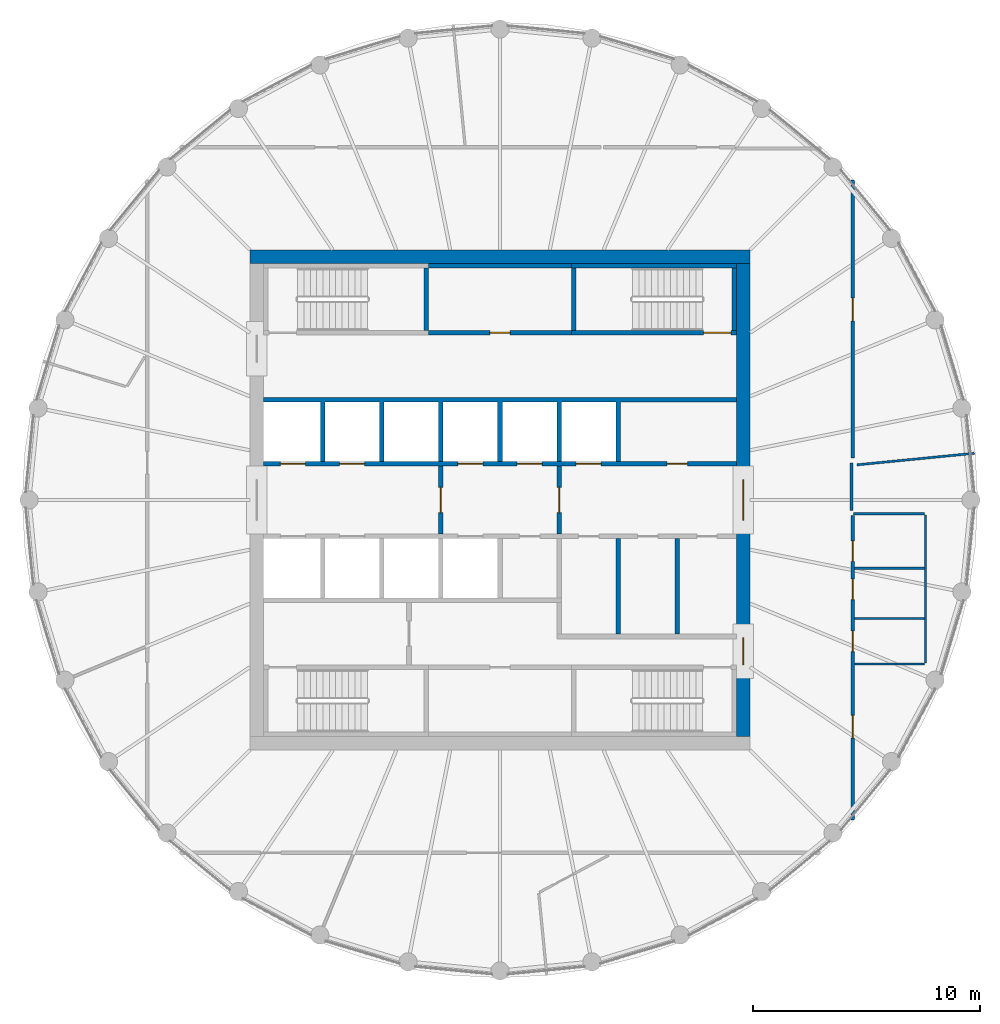
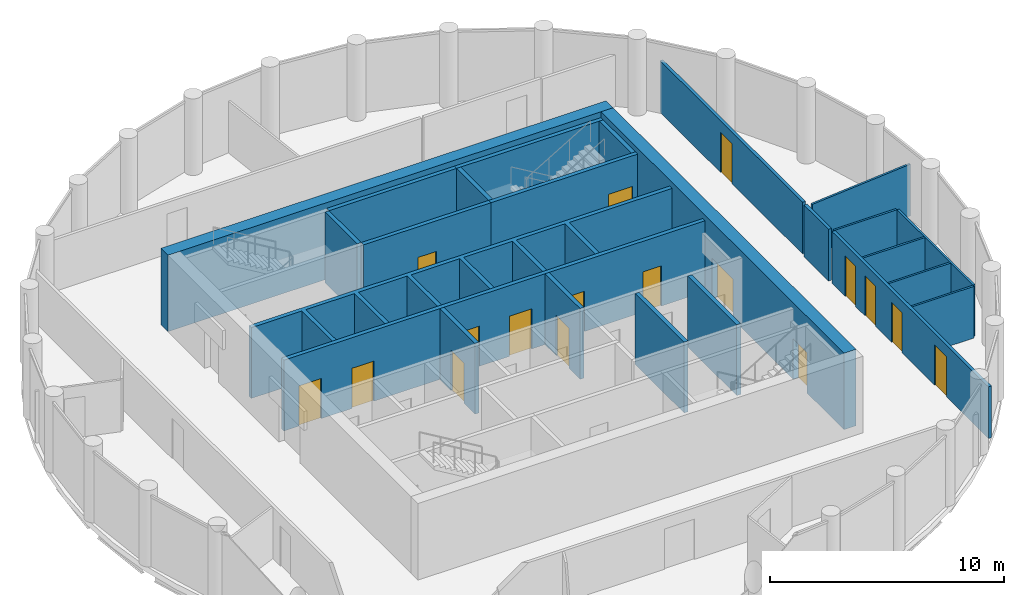
# One storey, part 5 of 7: 24 walls, 17 doors, 17 openings.
"""IFC4 building model written with IfcOpenShell, lengths in metres."""

from ifc_helpers import new_model, si_unit, direction, frame, frame_2d, origin, place, context, subcontext, project, spatial, polyline, rectangle, outline, extrude, material, layer, layer_set, type_object, element, fill, save


model = new_model("IFC4")

# Units and contexts
model_context = context("Model", 3, precision=1e-05, world=origin(), true_north=direction((0.0, 1.0)))
body_context = subcontext(model_context, "Body", "Model", "MODEL_VIEW")
ifc_project = project(units=[si_unit("LENGTHUNIT", "METRE"), si_unit("AREAUNIT", "SQUARE_METRE"), si_unit("VOLUMEUNIT", "CUBIC_METRE"), si_unit("PLANEANGLEUNIT", "RADIAN"), si_unit("MASSUNIT", "GRAM", prefix="KILO")], contexts=[model_context])

# Site, building, storey
site_placement = place(None, origin())
site = spatial("IfcSite", under=ifc_project, at=site_placement, CompositionType="ELEMENT")
building_placement = place(site_placement, origin())
building = spatial("IfcBuilding", under=site, at=building_placement, Name="Corvane Civic Tower", CompositionType="ELEMENT")
storey_placement = place(building_placement, frame((0.0, 0.0, 360.5)))
storey = spatial("IfcBuildingStorey", under=building, at=storey_placement, Name="L86", CompositionType="ELEMENT", Elevation=360.5)

# Wall
ifc_material_1 = material(Name="Concrete C40/50", Category="concrete")
ifc_layer_1 = layer(ifc_material_1, 0.60009765625)
ifc_layer_set_1 = layer_set([ifc_layer_1], Name="Concrete C40/50")
wall_type_1 = type_object("IfcWallType", Name="CORE WALL 600 C40/50", PredefinedType="SHEAR", material=ifc_layer_set_1)
wall_1_placement = place(storey_placement, frame((-11.0, 10.699951171875, 0.0), z_axis=(0.0, 0.0, 1.0), x_axis=(1.0, 0.0, 0.0)))
element("IfcWall", 1, at=wall_1_placement, inside=storey, type_object=wall_type_1, Name="W-L86-core-N", PredefinedType="SHEAR", context=body_context, shape_type="SweptSolid", body=[
    extrude(rectangle(XDim=22.0, YDim=0.60009765625, at=frame_2d((11.0, 0.0))), origin(), (0.0, 0.0, 1.0), 4.0),
])

# Wall, openings, doors
wall_2_placement = place(storey_placement, frame((10.699951171875, -10.39990234375, 0.0), z_axis=(0.0, 0.0, 1.0), x_axis=(0.0, 1.0, 0.0)))
wall_2 = element("IfcWall", 2, at=wall_2_placement, inside=storey, type_object=wall_type_1, Name="W-L86-core-E", PredefinedType="SHEAR", context=body_context, shape_type="SweptSolid", body=[
    extrude(rectangle(XDim=20.7998046875, YDim=0.60009765625, at=frame_2d((10.39990234375, 0.0))), origin(), (0.0, 0.0, 1.0), 4.0),
])
opening_1_placement = place(wall_2_placement, frame((9.5, 0.0, 0.0)))
opening_1 = element("IfcOpeningElement", 3, at=opening_1_placement, cuts=wall_2, Name="Opening L86.C16", PredefinedType="OPENING", context=body_context, shape_type="SweptSolid", body=[
    extrude(rectangle(XDim=1.800048828125, YDim=2.10009765625, at=frame_2d((0.89990234375, 1.050048828125))), frame((0.0, 0.31005859375, 0.0), z_axis=(0.0, -1.0, 0.0), x_axis=(1.0, 0.0, 0.0)), (0.0, 0.0, 1.0), 0.6201171875),
])
opening_2_placement = place(wall_2_placement, frame((3.14990234375, 0.0, 0.0)))
opening_2 = element("IfcOpeningElement", 4, at=opening_2_placement, cuts=wall_2, Name="Opening L86.C18", PredefinedType="OPENING", context=body_context, shape_type="SweptSolid", body=[
    extrude(rectangle(XDim=1.199951171875, YDim=2.10009765625, at=frame_2d((0.60009765625, 1.050048828125))), frame((0.0, 0.31005859375, 0.0), z_axis=(0.0, -1.0, 0.0), x_axis=(1.0, 0.0, 0.0)), (0.0, 0.0, 1.0), 0.6201171875),
])
ifc_material_2 = material(Name="Steel fire door leaf", Category="steel")
door_type_1 = type_object("IfcDoorType", Name="CR-DOOR-CORE-1800", OperationType="DOUBLE_DOOR_SINGLE_SWING", PredefinedType="DOOR", material=ifc_material_2)
door_1_placement = place(opening_1_placement, origin())
door_1 = element("IfcDoor", 5, at=door_1_placement, inside=storey, type_object=door_type_1, Name="L86 door", OperationType="DOUBLE_DOOR_SINGLE_SWING", OverallHeight=2.10009765625, OverallWidth=1.800048828125, PredefinedType="DOOR", context=body_context, shape_type="SweptSolid", body=[
    extrude(rectangle(XDim=1.800048828125, YDim=2.10009765625, at=frame_2d((0.89990234375, 1.050048828125))), frame((0.0, 0.02490234375, 0.0), z_axis=(0.0, -1.0, 0.0), x_axis=(1.0, 0.0, 0.0)), (0.0, 0.0, 1.0), 0.050048828125),
])
fill(opening_1, door_1)
door_2_placement = place(opening_2_placement, origin())
door_2 = element("IfcDoor", 6, at=door_2_placement, inside=storey, type_object=door_type_1, Name="L86 door", OperationType="DOUBLE_DOOR_SINGLE_SWING", OverallHeight=2.10009765625, OverallWidth=1.199951171875, PredefinedType="DOOR", context=body_context, shape_type="SweptSolid", body=[
    extrude(rectangle(XDim=1.199951171875, YDim=2.10009765625, at=frame_2d((0.60009765625, 1.050048828125))), frame((0.0, 0.02490234375, 0.0), z_axis=(0.0, -1.0, 0.0), x_axis=(1.0, 0.0, 0.0)), (0.0, 0.0, 1.0), 0.050048828125),
])
fill(opening_2, door_2)

ifc_material_3 = material(Name="Concrete C30/37", Category="concrete")
ifc_layer_2 = layer(ifc_material_3, 0.199951171875)
ifc_layer_set_2 = layer_set([ifc_layer_2], Name="Concrete C30/37")
wall_type_2 = type_object("IfcWallType", Name="CR-WALL-200", PredefinedType="PARTITIONING", material=ifc_layer_set_2)
wall_3_placement = place(storey_placement, frame((-10.39990234375, 1.60009765625, 0.0), z_axis=(0.0, 0.0, 1.0), x_axis=(1.0, 0.0, 0.0)))
wall_3 = element("IfcWall", 7, at=wall_3_placement, inside=storey, type_object=wall_type_2, Name="L86 lift shaft wall", PredefinedType="PARTITIONING", context=body_context, shape_type="SweptSolid", body=[
    extrude(rectangle(XDim=20.7998046875, YDim=0.199951171875, at=frame_2d((10.39990234375, 0.0))), origin(), (0.0, 0.0, 1.0), 3.699951171875),
])
opening_3_placement = place(wall_3_placement, frame((0.75, 0.0, 0.0)))
opening_3 = element("IfcOpeningElement", 8, at=opening_3_placement, cuts=wall_3, Name="Opening LD", PredefinedType="OPENING", context=body_context, shape_type="SweptSolid", body=[
    extrude(rectangle(XDim=1.10009765625, YDim=2.10009765625, at=frame_2d((0.550048828125, 1.050048828125))), frame((0.0, 0.10986328125, 0.0), z_axis=(0.0, -1.0, 0.0), x_axis=(1.0, 0.0, 0.0)), (0.0, 0.0, 1.0), 0.219970703125),
])
opening_4_placement = place(wall_3_placement, frame((3.35009765625, 0.0, 0.0)))
opening_4 = element("IfcOpeningElement", 9, at=opening_4_placement, cuts=wall_3, Name="Opening LD", PredefinedType="OPENING", context=body_context, shape_type="SweptSolid", body=[
    extrude(rectangle(XDim=1.10009765625, YDim=2.10009765625, at=frame_2d((0.550048828125, 1.050048828125))), frame((0.0, 0.10986328125, 0.0), z_axis=(0.0, -1.0, 0.0), x_axis=(1.0, 0.0, 0.0)), (0.0, 0.0, 1.0), 0.219970703125),
])
opening_5_placement = place(wall_3_placement, frame((8.550048828125, 0.0, 0.0)))
opening_5 = element("IfcOpeningElement", 10, at=opening_5_placement, cuts=wall_3, Name="Opening LD", PredefinedType="OPENING", context=body_context, shape_type="SweptSolid", body=[
    extrude(rectangle(XDim=1.10009765625, YDim=2.10009765625, at=frame_2d((0.550048828125, 1.050048828125))), frame((0.0, 0.10986328125, 0.0), z_axis=(0.0, -1.0, 0.0), x_axis=(1.0, 0.0, 0.0)), (0.0, 0.0, 1.0), 0.219970703125),
])
opening_6_placement = place(wall_3_placement, frame((11.14990234375, 0.0, 0.0)))
opening_6 = element("IfcOpeningElement", 11, at=opening_6_placement, cuts=wall_3, Name="Opening LD", PredefinedType="OPENING", context=body_context, shape_type="SweptSolid", body=[
    extrude(rectangle(XDim=1.10009765625, YDim=2.10009765625, at=frame_2d((0.550048828125, 1.050048828125))), frame((0.0, 0.10986328125, 0.0), z_axis=(0.0, -1.0, 0.0), x_axis=(1.0, 0.0, 0.0)), (0.0, 0.0, 1.0), 0.219970703125),
])
opening_7_placement = place(wall_3_placement, frame((13.75, 0.0, 0.0)))
opening_7 = element("IfcOpeningElement", 12, at=opening_7_placement, cuts=wall_3, Name="Opening LD", PredefinedType="OPENING", context=body_context, shape_type="SweptSolid", body=[
    extrude(rectangle(XDim=1.10009765625, YDim=2.10009765625, at=frame_2d((0.550048828125, 1.050048828125))), frame((0.0, 0.10986328125, 0.0), z_axis=(0.0, -1.0, 0.0), x_axis=(1.0, 0.0, 0.0)), (0.0, 0.0, 1.0), 0.219970703125),
])
opening_8_placement = place(wall_3_placement, frame((17.75, 0.0, 0.0)))
opening_8 = element("IfcOpeningElement", 13, at=opening_8_placement, cuts=wall_3, Name="Opening L86.C01", PredefinedType="OPENING", context=body_context, shape_type="SweptSolid", body=[
    extrude(rectangle(XDim=0.89990234375, YDim=2.10009765625, at=frame_2d((0.449951171875, 1.050048828125))), frame((0.0, 0.10986328125, 0.0), z_axis=(0.0, -1.0, 0.0), x_axis=(1.0, 0.0, 0.0)), (0.0, 0.0, 1.0), 0.219970703125),
])
ifc_material_4 = material(Name="Steel fire door leaf", Category="steel")
door_type_2 = type_object("IfcDoorType", Name="CR-DOOR-900", OperationType="SINGLE_SWING_LEFT", PredefinedType="DOOR", material=ifc_material_4)
door_3_placement = place(opening_8_placement, origin())
door_3 = element("IfcDoor", 14, at=door_3_placement, inside=storey, type_object=door_type_2, Name="L86 door", OperationType="SINGLE_SWING_LEFT", OverallHeight=2.10009765625, OverallWidth=0.89990234375, PredefinedType="DOOR", context=body_context, shape_type="SweptSolid", body=[
    extrude(rectangle(XDim=0.89990234375, YDim=2.10009765625, at=frame_2d((0.449951171875, 1.050048828125))), frame((0.0, 0.02490234375, 0.0), z_axis=(0.0, -1.0, 0.0), x_axis=(1.0, 0.0, 0.0)), (0.0, 0.0, 1.0), 0.050048828125),
])
fill(opening_8, door_3)
ifc_material_5 = material(Name="Stainless steel 316 door leaves", Category="steel")
door_type_3 = type_object("IfcDoorType", Name="LD", OperationType="DOUBLE_DOOR_SLIDING", PredefinedType="DOOR", material=ifc_material_5)
door_4_placement = place(opening_3_placement, origin())
door_4 = element("IfcDoor", 15, at=door_4_placement, inside=storey, type_object=door_type_3, Name="L86 landing door", OperationType="DOUBLE_DOOR_SLIDING", OverallHeight=2.10009765625, OverallWidth=1.10009765625, PredefinedType="DOOR", context=body_context, shape_type="SweptSolid", body=[
    extrude(rectangle(XDim=1.10009765625, YDim=2.10009765625, at=frame_2d((0.550048828125, 1.050048828125))), frame((0.0, 0.02490234375, 0.0), z_axis=(0.0, -1.0, 0.0), x_axis=(1.0, 0.0, 0.0)), (0.0, 0.0, 1.0), 0.050048828125),
])
fill(opening_3, door_4)
door_5_placement = place(opening_4_placement, origin())
door_5 = element("IfcDoor", 16, at=door_5_placement, inside=storey, type_object=door_type_3, Name="L86 landing door", OperationType="DOUBLE_DOOR_SLIDING", OverallHeight=2.10009765625, OverallWidth=1.10009765625, PredefinedType="DOOR", context=body_context, shape_type="SweptSolid", body=[
    extrude(rectangle(XDim=1.10009765625, YDim=2.10009765625, at=frame_2d((0.550048828125, 1.050048828125))), frame((0.0, 0.02490234375, 0.0), z_axis=(0.0, -1.0, 0.0), x_axis=(1.0, 0.0, 0.0)), (0.0, 0.0, 1.0), 0.050048828125),
])
fill(opening_4, door_5)
door_6_placement = place(opening_5_placement, origin())
door_6 = element("IfcDoor", 17, at=door_6_placement, inside=storey, type_object=door_type_3, Name="L86 landing door", OperationType="DOUBLE_DOOR_SLIDING", OverallHeight=2.10009765625, OverallWidth=1.10009765625, PredefinedType="DOOR", context=body_context, shape_type="SweptSolid", body=[
    extrude(rectangle(XDim=1.10009765625, YDim=2.10009765625, at=frame_2d((0.550048828125, 1.050048828125))), frame((0.0, 0.02490234375, 0.0), z_axis=(0.0, -1.0, 0.0), x_axis=(1.0, 0.0, 0.0)), (0.0, 0.0, 1.0), 0.050048828125),
])
fill(opening_5, door_6)
door_7_placement = place(opening_6_placement, origin())
door_7 = element("IfcDoor", 18, at=door_7_placement, inside=storey, type_object=door_type_3, Name="L86 landing door", OperationType="DOUBLE_DOOR_SLIDING", OverallHeight=2.10009765625, OverallWidth=1.10009765625, PredefinedType="DOOR", context=body_context, shape_type="SweptSolid", body=[
    extrude(rectangle(XDim=1.10009765625, YDim=2.10009765625, at=frame_2d((0.550048828125, 1.050048828125))), frame((0.0, 0.02490234375, 0.0), z_axis=(0.0, -1.0, 0.0), x_axis=(1.0, 0.0, 0.0)), (0.0, 0.0, 1.0), 0.050048828125),
])
fill(opening_6, door_7)
door_8_placement = place(opening_7_placement, origin())
door_8 = element("IfcDoor", 19, at=door_8_placement, inside=storey, type_object=door_type_3, Name="L86 landing door", OperationType="DOUBLE_DOOR_SLIDING", OverallHeight=2.10009765625, OverallWidth=1.10009765625, PredefinedType="DOOR", context=body_context, shape_type="SweptSolid", body=[
    extrude(rectangle(XDim=1.10009765625, YDim=2.10009765625, at=frame_2d((0.550048828125, 1.050048828125))), frame((0.0, 0.02490234375, 0.0), z_axis=(0.0, -1.0, 0.0), x_axis=(1.0, 0.0, 0.0)), (0.0, 0.0, 1.0), 0.050048828125),
])
fill(opening_7, door_8)

# Wall, opening, door
wall_4_placement = place(storey_placement, frame((-3.14990234375, 7.35009765625, 0.0), z_axis=(0.0, 0.0, 1.0), x_axis=(1.0, 0.0, 0.0)))
wall_4 = element("IfcWall", 20, at=wall_4_placement, inside=storey, type_object=wall_type_2, Name="L86 core partition wall", PredefinedType="PARTITIONING", context=body_context, shape_type="SweptSolid", body=[
    extrude(rectangle(XDim=6.2998046875, YDim=0.199951171875, at=frame_2d((3.14990234375, 0.0))), origin(), (0.0, 0.0, 1.0), 3.699951171875),
])
opening_9_placement = place(wall_4_placement, frame((2.699951171875, 0.0, 0.0)))
opening_9 = element("IfcOpeningElement", 21, at=opening_9_placement, cuts=wall_4, Name="Opening L86.C06", PredefinedType="OPENING", context=body_context, shape_type="SweptSolid", body=[
    extrude(rectangle(XDim=0.89990234375, YDim=2.10009765625, at=frame_2d((0.449951171875, 1.050048828125))), frame((0.0, 0.10986328125, 0.0), z_axis=(0.0, -1.0, 0.0), x_axis=(1.0, 0.0, 0.0)), (0.0, 0.0, 1.0), 0.219970703125),
])
door_9_placement = place(opening_9_placement, origin())
door_9 = element("IfcDoor", 22, at=door_9_placement, inside=storey, type_object=door_type_2, Name="L86 door", OperationType="SINGLE_SWING_LEFT", OverallHeight=2.10009765625, OverallWidth=0.89990234375, PredefinedType="DOOR", context=body_context, shape_type="SweptSolid", body=[
    extrude(rectangle(XDim=0.89990234375, YDim=2.10009765625, at=frame_2d((0.449951171875, 1.050048828125))), frame((0.0, 0.02490234375, 0.0), z_axis=(0.0, -1.0, 0.0), x_axis=(1.0, 0.0, 0.0)), (0.0, 0.0, 1.0), 0.050048828125),
])
fill(opening_9, door_9)

wall_5_placement = place(storey_placement, frame((-2.60009765625, -1.5, 0.0), z_axis=(0.0, 0.0, 1.0), x_axis=(0.0, 1.0, 0.0)))
wall_5 = element("IfcWall", 23, at=wall_5_placement, inside=storey, type_object=wall_type_2, Name="L86 firefighting lobby wall", PredefinedType="PARTITIONING", context=body_context, shape_type="SweptSolid", body=[
    extrude(rectangle(XDim=3.0, YDim=0.199951171875, at=frame_2d((1.5, 0.0))), origin(), (0.0, 0.0, 1.0), 3.699951171875),
])
opening_10_placement = place(wall_5_placement, frame((0.949951171875, 0.0, 0.0)))
opening_10 = element("IfcOpeningElement", 24, at=opening_10_placement, cuts=wall_5, Name="Opening L86.C12", PredefinedType="OPENING", context=body_context, shape_type="SweptSolid", body=[
    extrude(rectangle(XDim=1.10009765625, YDim=2.10009765625, at=frame_2d((0.550048828125, 1.050048828125))), frame((0.0, 0.10986328125, 0.0), z_axis=(0.0, -1.0, 0.0), x_axis=(1.0, 0.0, 0.0)), (0.0, 0.0, 1.0), 0.219970703125),
])
ifc_material_6 = material(Name="Steel fire door leaf", Category="steel")
door_type_4 = type_object("IfcDoorType", Name="CR-DOOR-FFL-1100", OperationType="SINGLE_SWING_LEFT", PredefinedType="DOOR", material=ifc_material_6)
door_10_placement = place(opening_10_placement, origin())
door_10 = element("IfcDoor", 25, at=door_10_placement, inside=storey, type_object=door_type_4, Name="L86 lobby door", OperationType="SINGLE_SWING_LEFT", OverallHeight=2.10009765625, OverallWidth=1.10009765625, PredefinedType="DOOR", context=body_context, shape_type="SweptSolid", body=[
    extrude(rectangle(XDim=1.10009765625, YDim=2.10009765625, at=frame_2d((0.550048828125, 1.050048828125))), frame((0.0, 0.02490234375, 0.0), z_axis=(0.0, -1.0, 0.0), x_axis=(1.0, 0.0, 0.0)), (0.0, 0.0, 1.0), 0.050048828125),
])
fill(opening_10, door_10)

wall_6_placement = place(storey_placement, frame((2.60009765625, -1.5, 0.0), z_axis=(0.0, 0.0, 1.0), x_axis=(0.0, 1.0, 0.0)))
wall_6 = element("IfcWall", 26, at=wall_6_placement, inside=storey, type_object=wall_type_2, Name="L86 firefighting lobby wall", PredefinedType="PARTITIONING", context=body_context, shape_type="SweptSolid", body=[
    extrude(rectangle(XDim=3.0, YDim=0.199951171875, at=frame_2d((1.5, 0.0))), origin(), (0.0, 0.0, 1.0), 3.699951171875),
])
opening_11_placement = place(wall_6_placement, frame((0.949951171875, 0.0, 0.0)))
opening_11 = element("IfcOpeningElement", 27, at=opening_11_placement, cuts=wall_6, Name="Opening L86.C13", PredefinedType="OPENING", context=body_context, shape_type="SweptSolid", body=[
    extrude(rectangle(XDim=1.10009765625, YDim=2.10009765625, at=frame_2d((0.550048828125, 1.050048828125))), frame((0.0, 0.10986328125, 0.0), z_axis=(0.0, -1.0, 0.0), x_axis=(1.0, 0.0, 0.0)), (0.0, 0.0, 1.0), 0.219970703125),
])
door_11_placement = place(opening_11_placement, origin())
door_11 = element("IfcDoor", 28, at=door_11_placement, inside=storey, type_object=door_type_4, Name="L86 lobby door", OperationType="SINGLE_SWING_LEFT", OverallHeight=2.10009765625, OverallWidth=1.10009765625, PredefinedType="DOOR", context=body_context, shape_type="SweptSolid", body=[
    extrude(rectangle(XDim=1.10009765625, YDim=2.10009765625, at=frame_2d((0.550048828125, 1.050048828125))), frame((0.0, 0.02490234375, 0.0), z_axis=(0.0, -1.0, 0.0), x_axis=(1.0, 0.0, 0.0)), (0.0, 0.0, 1.0), 0.050048828125),
])
fill(opening_11, door_11)

# Walls
wall_7_placement = place(storey_placement, origin())
element("IfcWall", 29, at=wall_7_placement, inside=storey, type_object=wall_type_2, Name="L86 core partition wall", PredefinedType="PARTITIONING", context=body_context, shape_type="SweptSolid", body=[
    extrude(outline(polyline([(5.300048828125, -1.699951171875), (5.300048828125, -5.89990234375), (5.10009765625, -5.89990234375), (5.10009765625, -1.699951171875), (5.300048828125, -1.699951171875)])), origin(), (0.0, 0.0, 1.0), 3.699951171875),
])
wall_8_placement = place(storey_placement, origin())
element("IfcWall", 30, at=wall_8_placement, inside=storey, type_object=wall_type_2, Name="L86 core partition wall", PredefinedType="PARTITIONING", context=body_context, shape_type="SweptSolid", body=[
    extrude(outline(polyline([(7.89990234375, -1.699951171875), (7.89990234375, -5.89990234375), (7.699951171875, -5.89990234375), (7.699951171875, -1.699951171875), (7.89990234375, -1.699951171875)])), origin(), (0.0, 0.0, 1.0), 3.699951171875),
])
wall_9_placement = place(storey_placement, origin())
element("IfcWall", 31, at=wall_9_placement, inside=storey, type_object=wall_type_2, Name="L86 core partition wall", PredefinedType="PARTITIONING", context=body_context, shape_type="SweptSolid", body=[
    extrude(outline(polyline([(-7.699951171875, 1.699951171875), (-7.89990234375, 1.699951171875), (-7.89990234375, 4.300048828125), (-10.39990234375, 4.300048828125), (-10.39990234375, 4.5), (10.39990234375, 4.5), (10.39990234375, 4.300048828125), (5.300048828125, 4.300048828125), (5.300048828125, 1.699951171875), (5.10009765625, 1.699951171875), (5.10009765625, 4.300048828125), (2.699951171875, 4.300048828125), (2.699951171875, 1.699951171875), (2.5, 1.699951171875), (2.5, 4.300048828125), (0.10009765625, 4.300048828125), (0.10009765625, 1.699951171875), (-0.10009765625, 1.699951171875), (-0.10009765625, 4.300048828125), (-2.5, 4.300048828125), (-2.5, 1.699951171875), (-2.699951171875, 1.699951171875), (-2.699951171875, 4.300048828125), (-5.10009765625, 4.300048828125), (-5.10009765625, 1.699951171875), (-5.300048828125, 1.699951171875), (-5.300048828125, 4.300048828125), (-7.699951171875, 4.300048828125), (-7.699951171875, 1.699951171875)])), origin(), (0.0, 0.0, 1.0), 3.699951171875),
])
wall_10_placement = place(storey_placement, origin())
element("IfcWall", 32, at=wall_10_placement, inside=storey, type_object=wall_type_2, Name="L86 core partition wall", PredefinedType="PARTITIONING", context=body_context, shape_type="SweptSolid", body=[
    extrude(outline(polyline([(3.14990234375, 10.199951171875), (-3.14990234375, 10.199951171875), (-3.14990234375, 10.39990234375), (3.14990234375, 10.39990234375), (3.14990234375, 10.199951171875)])), origin(), (0.0, 0.0, 1.0), 3.699951171875),
])
ifc_material_7 = material(Name="Plasterboard")
ifc_layer_3 = layer(ifc_material_7, 0.10009765625)
ifc_layer_set_3 = layer_set([ifc_layer_3], Name="Plasterboard")
wall_type_3 = type_object("IfcWallType", Name="Partition 100 plasterboard on studs", PredefinedType="PARTITIONING", material=ifc_layer_set_3)
wall_11_placement = place(storey_placement, frame((15.574951171875, -7.20458984375, 0.0), z_axis=(0.0, 0.0, 1.0), x_axis=(1.0, 0.0, 0.0)))
element("IfcWall", 33, at=wall_11_placement, inside=storey, type_object=wall_type_3, Name="Partition L86.008", PredefinedType="PARTITIONING", context=body_context, shape_type="SweptSolid", body=[
    extrude(rectangle(XDim=3.074951171875, YDim=0.10009765625, at=frame_2d((1.53759765625, 0.0))), origin(), (0.0, 0.0, 1.0), 2.699951171875),
])
wall_12_placement = place(storey_placement, frame((18.699951171875, -7.154541015625, 0.0), z_axis=(0.0, 0.0, 1.0), x_axis=(0.0, 1.0, 0.0)))
element("IfcWall", 34, at=wall_12_placement, inside=storey, type_object=wall_type_3, Name="Partition L86.009", PredefinedType="PARTITIONING", context=body_context, shape_type="SweptSolid", body=[
    extrude(rectangle(XDim=6.5, YDim=0.10009765625, at=frame_2d((3.25, 0.0))), origin(), (0.0, 0.0, 1.0), 2.699951171875),
])
for number, where, z_axis, x_axis, name in (
    (35, (15.574951171875, -5.20458984375, 0.0), (0.0, 0.0, 1.0), (1.0, 0.0, 0.0), "Partition L86.010"),
    (36, (15.574951171875, -3.004638671875, 0.0), (0.0, 0.0, 1.0), (1.0, 0.0, 0.0), "Partition L86.011"),
):
    element("IfcWall", number, at=place(storey_placement, frame(where, z_axis=z_axis, x_axis=x_axis)), inside=storey, type_object=wall_type_3, Name=name, PredefinedType="PARTITIONING", context=body_context, shape_type="SweptSolid", body=[
        extrude(rectangle(XDim=3.074951171875, YDim=0.10009765625, at=frame_2d((1.53759765625, 0.0))), origin(), (0.0, 0.0, 1.0), 2.699951171875),
    ])
wall_13_placement = place(storey_placement, frame((15.550048828125, -0.6044921875, 0.0), z_axis=(0.0, 0.0, 1.0), x_axis=(1.0, 0.0, 0.0)))
element("IfcWall", 37, at=wall_13_placement, inside=storey, type_object=wall_type_3, Name="Partition L86.012", PredefinedType="PARTITIONING", context=body_context, shape_type="SweptSolid", body=[
    extrude(rectangle(XDim=3.099853515625, YDim=0.10009765625, at=frame_2d((1.5498046875, 0.0))), origin(), (0.0, 0.0, 1.0), 2.699951171875),
])
wall_14_placement = place(storey_placement, frame((15.69970703125, 1.54638671875, 0.0), z_axis=(0.0, 0.0, 1.0), x_axis=(0.995186931694, 0.097994749781, 0.0)))
element("IfcWall", 38, at=wall_14_placement, inside=storey, type_object=wall_type_3, Name="Partition L86.014", PredefinedType="PARTITIONING", context=body_context, shape_type="SweptSolid", body=[
    extrude(rectangle(XDim=5.174560546875, YDim=0.10009765625, at=frame_2d((2.58740234375, 0.0))), origin(), (0.0, 0.0, 1.0), 2.699951171875),
])

# Wall, opening, door
ifc_material_8 = material(Name="Concrete C50/60", Category="concrete")
ifc_layer_4 = layer(ifc_material_8, 0.199951171875)
ifc_layer_set_4 = layer_set([ifc_layer_4], Name="Concrete C50/60")
wall_type_4 = type_object("IfcWallType", Name="ST-WALL-200", PredefinedType="SHEAR", material=ifc_layer_set_4)
wall_15_placement = place(storey_placement, frame((3.14990234375, 7.35009765625, 0.0), z_axis=(0.0, 0.0, 1.0), x_axis=(1.0, 0.0, 0.0)))
wall_15 = element("IfcWall", 39, at=wall_15_placement, inside=storey, type_object=wall_type_4, Name="L86 stair enclosure wall", PredefinedType="SHEAR", context=body_context, shape_type="SweptSolid", body=[
    extrude(rectangle(XDim=7.25, YDim=0.199951171875, at=frame_2d((3.625, 0.0))), origin(), (0.0, 0.0, 1.0), 3.699951171875),
])
opening_12_placement = place(wall_15_placement, frame((5.800048828125, 0.0, 0.0)))
opening_12 = element("IfcOpeningElement", 40, at=opening_12_placement, cuts=wall_15, Name="Opening L86.C08", PredefinedType="OPENING", context=body_context, shape_type="SweptSolid", body=[
    extrude(rectangle(XDim=1.199951171875, YDim=2.10009765625, at=frame_2d((0.60009765625, 1.050048828125))), frame((0.0, 0.10986328125, 0.0), z_axis=(0.0, -1.0, 0.0), x_axis=(1.0, 0.0, 0.0)), (0.0, 0.0, 1.0), 0.219970703125),
])
ifc_material_9 = material(Name="Steel fire door leaf", Category="steel")
door_type_5 = type_object("IfcDoorType", Name="ST-DOOR-1200", OperationType="SINGLE_SWING_RIGHT", PredefinedType="DOOR", material=ifc_material_9)
door_12_placement = place(opening_12_placement, origin())
door_12 = element("IfcDoor", 41, at=door_12_placement, inside=storey, type_object=door_type_5, Name="L86 stair door", OperationType="SINGLE_SWING_RIGHT", OverallHeight=2.10009765625, OverallWidth=1.199951171875, PredefinedType="DOOR", context=body_context, shape_type="SweptSolid", body=[
    extrude(rectangle(XDim=1.199951171875, YDim=2.10009765625, at=frame_2d((0.60009765625, 1.050048828125))), frame((0.0, 0.02490234375, 0.0), z_axis=(0.0, -1.0, 0.0), x_axis=(1.0, 0.0, 0.0)), (0.0, 0.0, 1.0), 0.050048828125),
])
fill(opening_12, door_12)

# Walls
wall_16_placement = place(storey_placement, origin())
element("IfcWall", 42, at=wall_16_placement, inside=storey, type_object=wall_type_4, Name="L86 stair enclosure wall", PredefinedType="SHEAR", context=body_context, shape_type="SweptSolid", body=[
    extrude(outline(polyline([(10.39990234375, 10.199951171875), (3.14990234375, 10.199951171875), (3.14990234375, 10.39990234375), (10.39990234375, 10.39990234375), (10.39990234375, 10.199951171875)])), origin(), (0.0, 0.0, 1.0), 3.699951171875),
])
wall_17_placement = place(storey_placement, origin())
element("IfcWall", 43, at=wall_17_placement, inside=storey, type_object=wall_type_4, Name="L86 stair enclosure wall", PredefinedType="SHEAR", context=body_context, shape_type="SweptSolid", body=[
    extrude(outline(polyline([(-3.14990234375, 7.449951171875), (-3.35009765625, 7.449951171875), (-3.35009765625, 10.199951171875), (-3.14990234375, 10.199951171875), (-3.14990234375, 7.449951171875)])), origin(), (0.0, 0.0, 1.0), 3.699951171875),
])
wall_18_placement = place(storey_placement, origin())
element("IfcWall", 44, at=wall_18_placement, inside=storey, type_object=wall_type_4, Name="L86 stair enclosure wall", PredefinedType="SHEAR", context=body_context, shape_type="SweptSolid", body=[
    extrude(outline(polyline([(3.35009765625, 7.449951171875), (3.14990234375, 7.449951171875), (3.14990234375, 10.199951171875), (3.35009765625, 10.199951171875), (3.35009765625, 7.449951171875)])), origin(), (0.0, 0.0, 1.0), 3.699951171875),
])
wall_19_placement = place(storey_placement, origin())
element("IfcWall", 45, at=wall_19_placement, inside=storey, type_object=wall_type_4, Name="L86 stair enclosure wall", PredefinedType="SHEAR", context=body_context, shape_type="SweptSolid", body=[
    extrude(outline(polyline([(10.39990234375, 7.449951171875), (10.199951171875, 7.449951171875), (10.199951171875, 10.199951171875), (10.39990234375, 10.199951171875), (10.39990234375, 7.449951171875)])), origin(), (0.0, 0.0, 1.0), 3.699951171875),
])

# Wall, openings, doors
ifc_material_10 = material(Name="Plasterboard")
ifc_layer_5 = layer(ifc_material_10, 0.14990234375)
ifc_layer_set_5 = layer_set([ifc_layer_5], Name="Plasterboard")
wall_type_5 = type_object("IfcWallType", Name="Tenancy wall 150 EI 60", PredefinedType="PARTITIONING", material=ifc_layer_set_5)
wall_20_placement = place(storey_placement, frame((15.5, -14.05712890625, 0.0), z_axis=(0.0, 0.0, 1.0), x_axis=(0.0, 1.0, 0.0)))
wall_20 = element("IfcWall", 46, at=wall_20_placement, inside=storey, type_object=wall_type_5, Name="Partition L86.006", PredefinedType="PARTITIONING", context=body_context, shape_type="SweptSolid", body=[
    extrude(rectangle(XDim=13.37744140625, YDim=0.14990234375, at=frame_2d((6.688720703125, 0.0))), origin(), (0.0, 0.0, 1.0), 2.699951171875),
])
opening_13_placement = place(wall_20_placement, frame((3.592529296875, 0.0, 0.0)))
opening_13 = element("IfcOpeningElement", 47, at=opening_13_placement, cuts=wall_20, Name="Opening L86.008", PredefinedType="OPENING", context=body_context, shape_type="SweptSolid", body=[
    extrude(rectangle(XDim=1.0, YDim=2.10009765625, at=frame_2d((0.5, 1.050048828125))), frame((0.0, 0.0849609375, 0.0), z_axis=(0.0, -1.0, 0.0), x_axis=(1.0, 0.0, 0.0)), (0.0, 0.0, 1.0), 0.169921875),
])
opening_14_placement = place(wall_20_placement, frame((11.356201171875, 0.0, 0.0)))
opening_14 = element("IfcOpeningElement", 48, at=opening_14_placement, cuts=wall_20, Name="Opening L86.009", PredefinedType="OPENING", context=body_context, shape_type="SweptSolid", body=[
    extrude(rectangle(XDim=0.89990234375, YDim=2.10009765625, at=frame_2d((0.449951171875, 1.050048828125))), frame((0.0, 0.0849609375, 0.0), z_axis=(0.0, -1.0, 0.0), x_axis=(1.0, 0.0, 0.0)), (0.0, 0.0, 1.0), 0.169921875),
])
opening_15_placement = place(wall_20_placement, frame((9.67822265625, 0.0, 0.0)))
opening_15 = element("IfcOpeningElement", 49, at=opening_15_placement, cuts=wall_20, Name="Opening L86.010", PredefinedType="OPENING", context=body_context, shape_type="SweptSolid", body=[
    extrude(rectangle(XDim=0.89990234375, YDim=2.10009765625, at=frame_2d((0.449951171875, 1.050048828125))), frame((0.0, 0.0849609375, 0.0), z_axis=(0.0, -1.0, 0.0), x_axis=(1.0, 0.0, 0.0)), (0.0, 0.0, 1.0), 0.169921875),
])
opening_16_placement = place(wall_20_placement, frame((7.388427734375, 0.0, 0.0)))
opening_16 = element("IfcOpeningElement", 50, at=opening_16_placement, cuts=wall_20, Name="Opening L86.011", PredefinedType="OPENING", context=body_context, shape_type="SweptSolid", body=[
    extrude(rectangle(XDim=0.89990234375, YDim=2.10009765625, at=frame_2d((0.449951171875, 1.050048828125))), frame((0.0, 0.0849609375, 0.0), z_axis=(0.0, -1.0, 0.0), x_axis=(1.0, 0.0, 0.0)), (0.0, 0.0, 1.0), 0.169921875),
])
ifc_material_11 = material(Name="Steel and timber", Category="steel")
door_type_6 = type_object("IfcDoorType", Name="Fire door FD30S 1000", OperationType="NOTDEFINED", PredefinedType="DOOR", material=ifc_material_11)
door_13_placement = place(opening_13_placement, frame((1.0, 0.0, 0.0), z_axis=(0.0, 0.0, 1.0), x_axis=(-1.0, 0.0, 0.0)))
door_13 = element("IfcDoor", 51, at=door_13_placement, inside=storey, type_object=door_type_6, Name="Door L86.008", OperationType="SINGLE_SWING_RIGHT", OverallHeight=2.10009765625, OverallWidth=1.0, PredefinedType="DOOR", context=body_context, shape_type="SweptSolid", body=[
    extrude(rectangle(XDim=1.0, YDim=2.10009765625, at=frame_2d((0.5, 1.050048828125))), frame((0.0, 0.02490234375, 0.0), z_axis=(0.0, -1.0, 0.0), x_axis=(1.0, 0.0, 0.0)), (0.0, 0.0, 1.0), 0.050048828125),
])
fill(opening_13, door_13)
ifc_material_12 = material(Name="Steel and timber", Category="steel")
door_type_7 = type_object("IfcDoorType", Name="Fire door FD30S 900", OperationType="NOTDEFINED", PredefinedType="DOOR", material=ifc_material_12)
door_14_placement = place(opening_14_placement, frame((0.89990234375, 0.0, 0.0), z_axis=(0.0, 0.0, 1.0), x_axis=(-1.0, 0.0, 0.0)))
door_14 = element("IfcDoor", 52, at=door_14_placement, inside=storey, type_object=door_type_7, Name="Door L86.009", OperationType="SINGLE_SWING_LEFT", OverallHeight=2.10009765625, OverallWidth=0.89990234375, PredefinedType="DOOR", context=body_context, shape_type="SweptSolid", body=[
    extrude(rectangle(XDim=0.89990234375, YDim=2.10009765625, at=frame_2d((0.449951171875, 1.050048828125))), frame((0.0, 0.02490234375, 0.0), z_axis=(0.0, -1.0, 0.0), x_axis=(1.0, 0.0, 0.0)), (0.0, 0.0, 1.0), 0.050048828125),
])
fill(opening_14, door_14)
door_15_placement = place(opening_15_placement, frame((0.89990234375, 0.0, 0.0), z_axis=(0.0, 0.0, 1.0), x_axis=(-1.0, 0.0, 0.0)))
door_15 = element("IfcDoor", 53, at=door_15_placement, inside=storey, type_object=door_type_7, Name="Door L86.010", OperationType="SINGLE_SWING_LEFT", OverallHeight=2.10009765625, OverallWidth=0.89990234375, PredefinedType="DOOR", context=body_context, shape_type="SweptSolid", body=[
    extrude(rectangle(XDim=0.89990234375, YDim=2.10009765625, at=frame_2d((0.449951171875, 1.050048828125))), frame((0.0, 0.02490234375, 0.0), z_axis=(0.0, -1.0, 0.0), x_axis=(1.0, 0.0, 0.0)), (0.0, 0.0, 1.0), 0.050048828125),
])
fill(opening_15, door_15)
door_16_placement = place(opening_16_placement, frame((0.89990234375, 0.0, 0.0), z_axis=(0.0, 0.0, 1.0), x_axis=(-1.0, 0.0, 0.0)))
door_16 = element("IfcDoor", 54, at=door_16_placement, inside=storey, type_object=door_type_7, Name="Door L86.011", OperationType="SINGLE_SWING_RIGHT", OverallHeight=2.10009765625, OverallWidth=0.89990234375, PredefinedType="DOOR", context=body_context, shape_type="SweptSolid", body=[
    extrude(rectangle(XDim=0.89990234375, YDim=2.10009765625, at=frame_2d((0.449951171875, 1.050048828125))), frame((0.0, 0.02490234375, 0.0), z_axis=(0.0, -1.0, 0.0), x_axis=(1.0, 0.0, 0.0)), (0.0, 0.0, 1.0), 0.050048828125),
])
fill(opening_16, door_16)

# Wall
wall_21_placement = place(storey_placement, frame((15.449951171875, -0.460693359375, 0.0), z_axis=(0.0, 0.0, 1.0), x_axis=(0.0, 1.0, 0.0)))
element("IfcWall", 55, at=wall_21_placement, inside=storey, type_object=wall_type_5, Name="Partition L86.013", PredefinedType="PARTITIONING", context=body_context, shape_type="SweptSolid", body=[
    extrude(rectangle(XDim=2.096923828125, YDim=0.14990234375, at=frame_2d((1.04833984375, 0.0))), origin(), (0.0, 0.0, 1.0), 2.699951171875),
])

# Wall, opening, door
wall_22_placement = place(storey_placement, frame((15.5, 1.844482421875, 0.0), z_axis=(0.0, 0.0, 1.0), x_axis=(0.0, 1.0, 0.0)))
wall_22 = element("IfcWall", 56, at=wall_22_placement, inside=storey, type_object=wall_type_5, Name="Partition L86.015", PredefinedType="PARTITIONING", context=body_context, shape_type="SweptSolid", body=[
    extrude(rectangle(XDim=12.212646484375, YDim=0.14990234375, at=frame_2d((6.1064453125, 0.0))), origin(), (0.0, 0.0, 1.0), 2.699951171875),
])
opening_17_placement = place(wall_22_placement, frame((6.027587890625, 0.0, 0.0)))
opening_17 = element("IfcOpeningElement", 57, at=opening_17_placement, cuts=wall_22, Name="Opening L86.007", PredefinedType="OPENING", context=body_context, shape_type="SweptSolid", body=[
    extrude(rectangle(XDim=1.0, YDim=2.10009765625, at=frame_2d((0.5, 1.050048828125))), frame((0.0, 0.0849609375, 0.0), z_axis=(0.0, -1.0, 0.0), x_axis=(1.0, 0.0, 0.0)), (0.0, 0.0, 1.0), 0.169921875),
])
door_17_placement = place(opening_17_placement, frame((1.0, 0.0, 0.0), z_axis=(0.0, 0.0, 1.0), x_axis=(-1.0, 0.0, 0.0)))
door_17 = element("IfcDoor", 58, at=door_17_placement, inside=storey, type_object=door_type_6, Name="Door L86.007", OperationType="SINGLE_SWING_LEFT", OverallHeight=2.10009765625, OverallWidth=1.0, PredefinedType="DOOR", context=body_context, shape_type="SweptSolid", body=[
    extrude(rectangle(XDim=1.0, YDim=2.10009765625, at=frame_2d((0.5, 1.050048828125))), frame((0.0, 0.02490234375, 0.0), z_axis=(0.0, -1.0, 0.0), x_axis=(1.0, 0.0, 0.0)), (0.0, 0.0, 1.0), 0.050048828125),
])
fill(opening_17, door_17)

save(model, "model.ifc")
